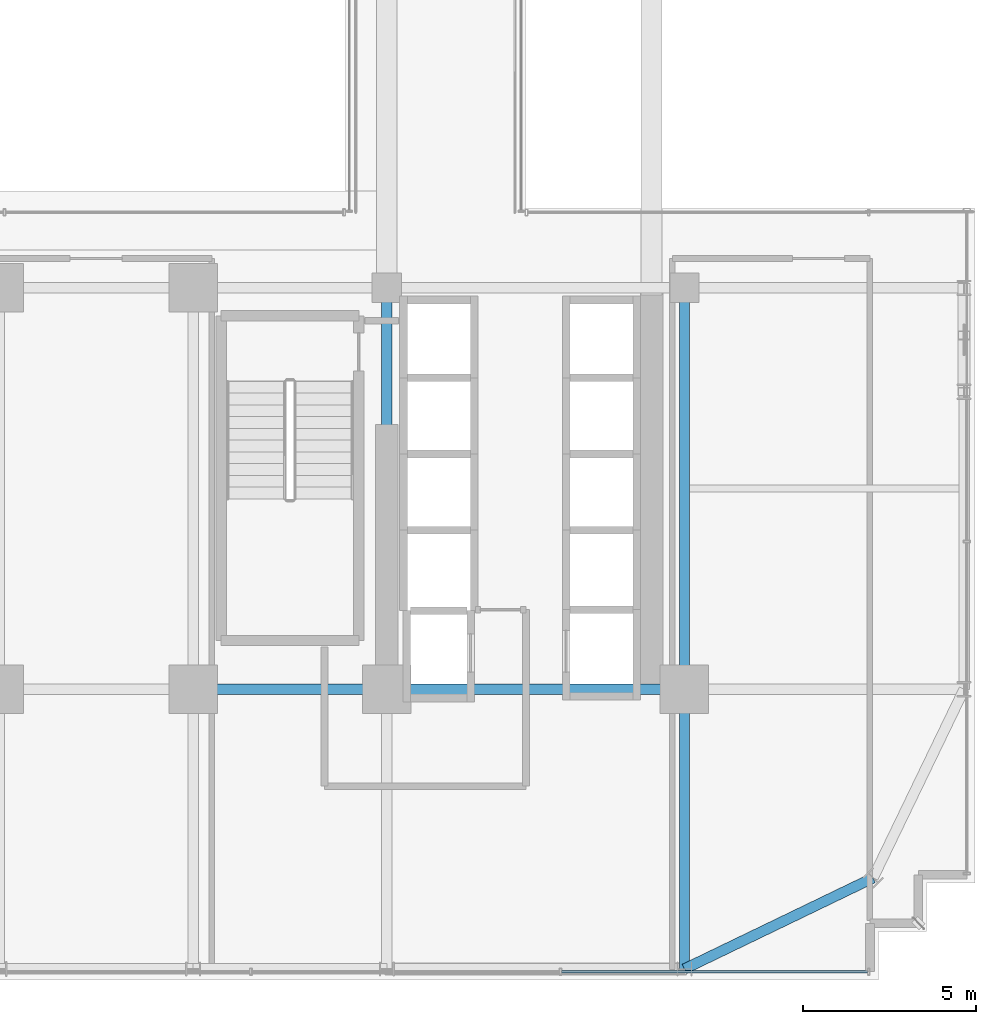
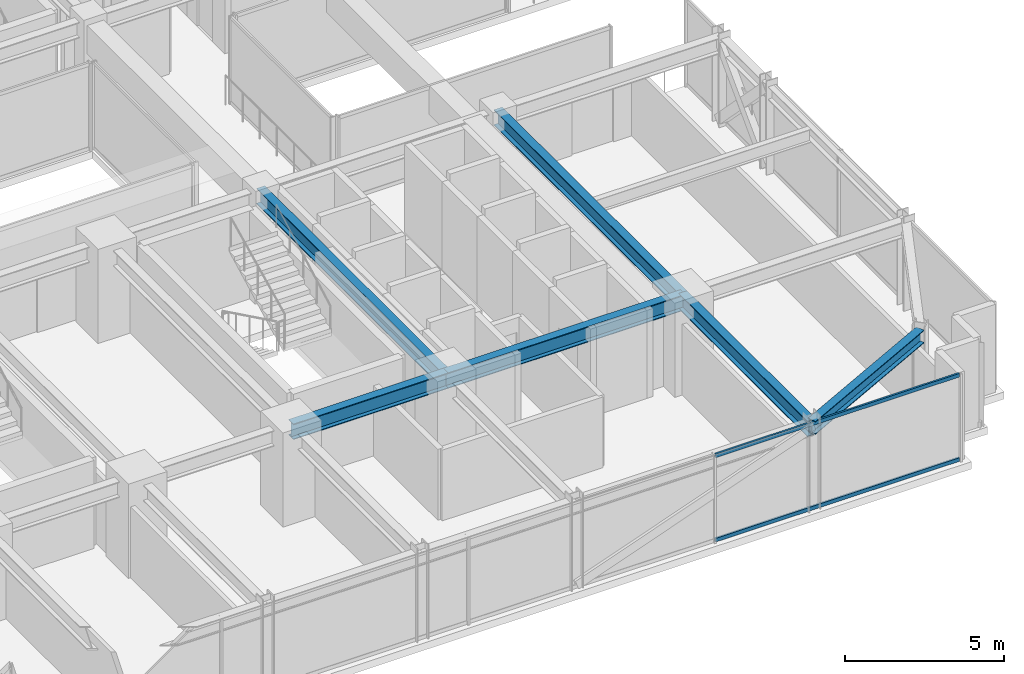
# One storey, part 13 of 43: 6 beams, 2 members, 1 element without a shape of its own.
"""IFC4 building model written with IfcOpenShell, lengths in metres."""

from ifc_helpers import new_model, si_unit, direction, frame, origin, origin_2d, place, context, subcontext, project, spatial, hollow_rectangle, i_section, extrude, source, transform, mapped, material, material_profile, profile_set, type_object, element, aggregate, save


model = new_model("IFC4")

# Units and contexts
model_context = context("Model", 3, precision=1e-05, world=origin(), true_north=direction((0.0, 1.0)))
body_context = subcontext(model_context, "Body", "Model", "MODEL_VIEW")
ifc_project = project(units=[si_unit("LENGTHUNIT", "METRE"), si_unit("AREAUNIT", "SQUARE_METRE"), si_unit("VOLUMEUNIT", "CUBIC_METRE"), si_unit("PLANEANGLEUNIT", "RADIAN"), si_unit("MASSUNIT", "GRAM", prefix="KILO")], contexts=[model_context])

# Site, building, storey
site_placement = place(None, origin())
site = spatial("IfcSite", under=ifc_project, at=site_placement, CompositionType="ELEMENT")
building_placement = place(site_placement, origin())
building = spatial("IfcBuilding", under=site, at=building_placement, Name="Nahalor Promenade Grand Hotel", CompositionType="ELEMENT")
storey_placement = place(building_placement, frame((0.0, 0.0, 47.0)))
storey = spatial("IfcBuildingStorey", under=building, at=storey_placement, Name="L10", CompositionType="ELEMENT", Elevation=47.0)

# Beams
ifc_material_1 = material(Name="Steel S355JR", Category="steel")
ifc_material_profile_1 = material_profile(ifc_material_1, i_section(OverallWidth=0.3, OverallDepth=0.6, WebThickness=0.0155, FlangeThickness=0.03, at=origin_2d()), Name="HEB 600")
ifc_profile_set_1 = profile_set([ifc_material_profile_1], Name="Steel S355JR")
beam_type_1 = type_object("IfcBeamType", Name="Beam-Girder-HEB600", PredefinedType="BEAM", material=ifc_profile_set_1)
shared_shape_1 = source(origin(), body_context, "Body", "SweptSolid", [
    extrude(i_section(OverallWidth=0.3, OverallDepth=0.6, WebThickness=0.0155, FlangeThickness=0.03, at=origin_2d()), origin(), (0.0, 0.0, 1.0), 8.60009765625),
])
beam_1_placement = place(storey_placement, frame((8.39990234375, -17.0, 3.070068359375), z_axis=(1.0, 0.0, 0.0), x_axis=(0.0, 1.0, 0.0)))
element("IfcBeam", 1, at=beam_1_placement, inside=storey, type_object=beam_type_1, Name="BM-L10-GX-0-5", PredefinedType="BEAM", context=body_context, shape_type="MappedRepresentation", body=[
    mapped(shared_shape_1, transform((0.0, 0.0, 0.0), scale=1.0)),
])
shared_shape_2 = source(origin(), body_context, "Body", "SweptSolid", [
    extrude(i_section(OverallWidth=0.3, OverallDepth=0.6, WebThickness=0.0155, FlangeThickness=0.03, at=origin_2d()), origin(), (0.0, 0.0, 1.0), 5.599853515625),
])
beam_2_placement = place(storey_placement, frame((2.800048828125, -17.0, 3.070068359375), z_axis=(1.0, 0.0, 0.0), x_axis=(0.0, 1.0, 0.0)))
element("IfcBeam", 2, at=beam_2_placement, inside=storey, type_object=beam_type_1, Name="BM-L10-GX-0-4", PredefinedType="BEAM", context=body_context, shape_type="MappedRepresentation", body=[
    mapped(shared_shape_2, transform((0.0, 0.0, 0.0), scale=1.0)),
])
shared_shape_3 = source(origin(), body_context, "Body", "SweptSolid", [
    extrude(i_section(OverallWidth=0.3, OverallDepth=0.6, WebThickness=0.0155, FlangeThickness=0.03, at=origin_2d()), origin(), (0.0, 0.0, 1.0), 11.60009765625),
])
for number, where, z_axis, x_axis, name in (
    (3, (8.39990234375, -17.0, 3.070068359375), (0.0, 1.0, 0.0), (-1.0, 0.0, 0.0), "BM-L10-GY-4-1"),
    (4, (17.0, -17.0, 3.070068359375), (0.0, 1.0, 0.0), (-1.0, 0.0, 0.0), "BM-L10-GY-5-1"),
):
    element("IfcBeam", number, at=place(storey_placement, frame(where, z_axis=z_axis, x_axis=x_axis)), inside=storey, type_object=beam_type_1, Name=name, PredefinedType="BEAM", context=body_context, shape_type="MappedRepresentation", body=[
        mapped(shared_shape_3, transform((0.0, 0.0, 0.0), scale=1.0)),
    ])
shared_shape_4 = source(origin(), body_context, "Body", "SweptSolid", [
    extrude(i_section(OverallWidth=0.3, OverallDepth=0.6, WebThickness=0.0155, FlangeThickness=0.03, at=origin_2d()), origin(), (0.0, 0.0, 1.0), 8.080078125),
])
beam_3_placement = place(storey_placement, frame((17.0, -25.080078125, 3.070068359375), z_axis=(0.0, 1.0, 0.0), x_axis=(-1.0, 0.0, 0.0)))
element("IfcBeam", 5, at=beam_3_placement, inside=storey, type_object=beam_type_1, Name="BM-L10-GY-5-0", PredefinedType="BEAM", context=body_context, shape_type="MappedRepresentation", body=[
    mapped(shared_shape_4, transform((0.0, 0.0, 0.0), scale=1.0)),
])
ifc_material_profile_2 = material_profile(ifc_material_1, i_section(OverallWidth=0.3, OverallDepth=0.5, WebThickness=0.0145, FlangeThickness=0.028, at=origin_2d()), Name="HEB 500")
ifc_profile_set_2 = profile_set([ifc_material_profile_2], Name="Steel S355JR")
beam_type_2 = type_object("IfcBeamType", Name="Beam-Spandrel-HEB500", PredefinedType="SPANDREL", material=ifc_profile_set_2)
shared_shape_5 = source(origin(), body_context, "Body", "SweptSolid", [
    extrude(i_section(OverallWidth=0.3, OverallDepth=0.5, WebThickness=0.0145, FlangeThickness=0.028, at=origin_2d()), origin(), (0.0, 0.0, 1.0), 6.051513671875),
])
beam_4_placement = place(storey_placement, frame((17.0, -25.080078125, 3.1201171875), z_axis=(0.900608818852, 0.434630596492, 0.0), x_axis=(-0.434630596492, 0.900608818852, 0.0)))
element("IfcBeam", 6, at=beam_4_placement, inside=storey, type_object=beam_type_2, Name="BM-L10-SPC-SE-1", PredefinedType="SPANDREL", context=body_context, shape_type="MappedRepresentation", body=[
    mapped(shared_shape_5, transform((0.0, 0.0, 0.0), scale=1.0)),
])

# Curtain wall, members
ifc_material_2 = material(Name="Anodised Bronze Aluminium EN AW-6063 T6", Category="aluminium")
curtain_wall_type = type_object("IfcCurtainWallType", Name="CW3 Elliptical-Void Collar Unitised Curtain Wall", PredefinedType="USERDEFINED", material=ifc_material_2)
curtain_wall_placement = place(storey_placement, origin())
curtain_wall = element("IfcCurtainWall", 7, at=curtain_wall_placement, inside=storey, type_object=curtain_wall_type, Name="L10 Curtain Wall CW-L10-S-1", ObjectType="UNITISED_CURTAIN_WALL", PredefinedType="USERDEFINED")
ifc_material_profile_3 = material_profile(ifc_material_2, hollow_rectangle(XDim=0.07, YDim=0.14, WallThickness=0.004, at=origin_2d()), Name="CWT 70x140x4")
ifc_profile_set_3 = profile_set([ifc_material_profile_3], Name="Anodised Bronze Aluminium EN AW-6063 T6")
member_type = type_object("IfcMemberType", Name="CWT3 Void Collar Transom 70x140", PredefinedType="USERDEFINED", material=ifc_profile_set_3)
shared_shape_6 = source(origin(), body_context, "Body", "SweptSolid", [
    extrude(hollow_rectangle(XDim=0.07, YDim=0.14, WallThickness=0.004, at=origin_2d()), origin(), (0.0, 0.0, 1.0), 8.839111328125),
])
member_1_placement = place(storey_placement, frame((13.450927734375, -25.159912109375, 0.070068359375), z_axis=(1.0, 0.0, 0.0), x_axis=(0.0, 1.0, 0.0)))
member_1 = element("IfcMember", 8, at=member_1_placement, type_object=member_type, Name="CW-L10-S-1 Transom 4-0", ObjectType="TRANSOM", PredefinedType="USERDEFINED", context=body_context, shape_type="MappedRepresentation", body=[
    mapped(shared_shape_6, transform((0.0, 0.0, 0.0), scale=1.0)),
])
member_2_placement = place(storey_placement, frame((13.450927734375, -25.159912109375, 3.300048828125), z_axis=(1.0, 0.0, 0.0), x_axis=(0.0, 1.0, 0.0)))
member_2 = element("IfcMember", 9, at=member_2_placement, type_object=member_type, Name="CW-L10-S-1 Transom 4-1", ObjectType="TRANSOM", PredefinedType="USERDEFINED", context=body_context, shape_type="MappedRepresentation", body=[
    mapped(shared_shape_6, transform((0.0, 0.0, 0.0), scale=1.0)),
])
aggregate(curtain_wall, [member_1, member_2])

save(model, "model.ifc")
